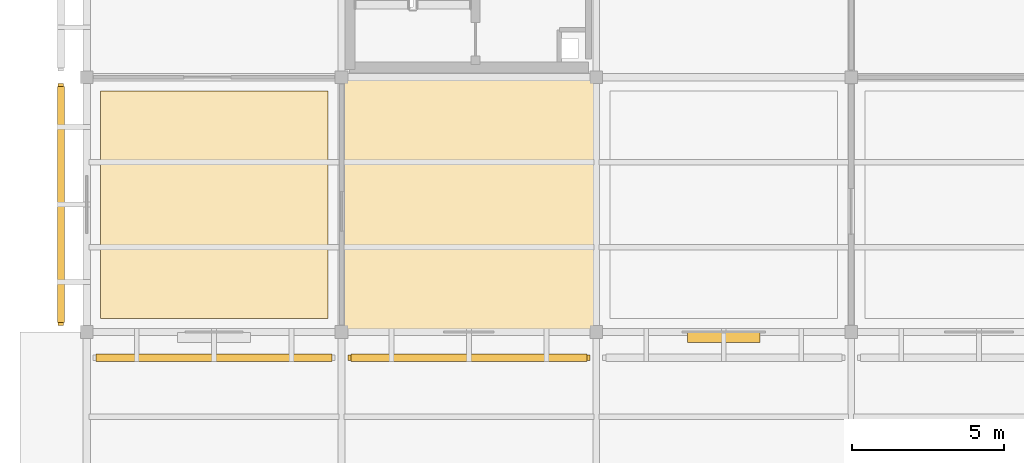
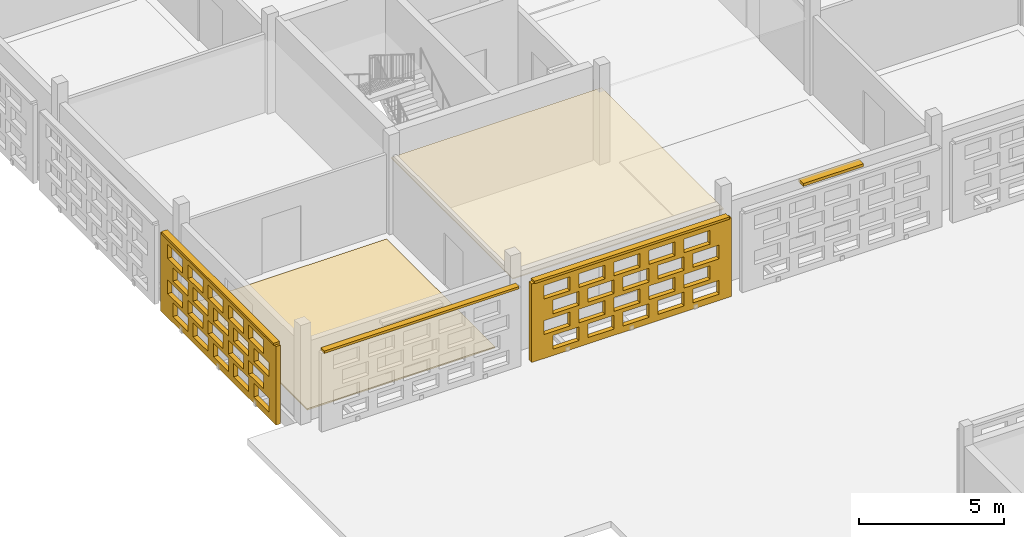
# One storey, part 85 of 103: 4 coverings, 4 shading devices, 40 openings.
"""IFC4 building model written with IfcOpenShell, lengths in metres."""

from ifc_helpers import new_model, si_unit, direction, frame, frame_2d, origin, origin_2d, place, context, subcontext, project, spatial, rectangle, extrude, material, layer, layer_set, type_object, element, save


model = new_model("IFC4")

# Units and contexts
model_context = context("Model", 3, precision=1e-05, world=origin(), true_north=direction((0.0, 1.0)))
body_context = subcontext(model_context, "Body", "Model", "MODEL_VIEW")
ifc_project = project(units=[si_unit("LENGTHUNIT", "METRE"), si_unit("AREAUNIT", "SQUARE_METRE"), si_unit("VOLUMEUNIT", "CUBIC_METRE"), si_unit("PLANEANGLEUNIT", "RADIAN"), si_unit("MASSUNIT", "GRAM", prefix="KILO")], contexts=[model_context])

# Site, building, storey
site_placement = place(None, origin())
site = spatial("IfcSite", under=ifc_project, at=site_placement, CompositionType="ELEMENT")
building_placement = place(site_placement, origin())
building = spatial("IfcBuilding", under=site, at=building_placement, Name="Varnapada Polytechnic", CompositionType="ELEMENT")
storey_placement = place(building_placement, frame((0.0, 0.0, 18.0)))
storey = spatial("IfcBuildingStorey", under=building, at=storey_placement, Name="L04", CompositionType="ELEMENT", Elevation=18.0)

# Covering
ifc_material_1 = material(Name="Anti-Static Raised Laboratory Flooring")
ifc_layer_1 = layer(ifc_material_1, 0.06005859375)
ifc_layer_set_1 = layer_set([ifc_layer_1], Name="Anti-Static Raised Laboratory Flooring")
covering_type_1 = type_object("IfcCoveringType", Name="Floor Finish FLR-02", PredefinedType="FLOORING", material=ifc_layer_set_1)
covering_1_placement = place(storey_placement, frame((4.199951171875, 54.60009765625, 0.0), z_axis=(0.0, 0.0, 1.0), x_axis=(1.0, 0.0, 0.0)))
element("IfcCovering", 1, at=covering_1_placement, inside=storey, type_object=covering_type_1, Name="L04 floor finish panel (1,7)", PredefinedType="FLOORING", context=body_context, shape_type="SweptSolid", body=[
    extrude(rectangle(XDim=7.5, YDim=7.5, at=origin_2d()), origin(), (0.0, 0.0, 1.0), 0.06005859375),
])

# Shading device
ifc_material_2 = material(Name="Anodised aluminium", Category="aluminium")
ifc_layer_2 = layer(ifc_material_2, 0.35009765625)
ifc_layer_set_2 = layer_set([ifc_layer_2], Name="Anodised aluminium")
shading_device_type_1 = type_object("IfcShadingDeviceType", Name="Solar Louvre LVR-01", PredefinedType="JALOUSIE", material=ifc_layer_set_2)
shading_device_placement = place(storey_placement, frame((21.0, 50.219970703125, 3.159912109375), z_axis=(0.0, 0.0, 1.0), x_axis=(-1.0, 0.0, 0.0)))
element("IfcShadingDevice", 2, at=shading_device_placement, inside=storey, type_object=shading_device_type_1, Name="L04 aluminium sun louvre 19", PredefinedType="JALOUSIE", context=body_context, shape_type="SweptSolid", body=[
    extrude(rectangle(XDim=2.39990234375, YDim=0.340087890625, at=origin_2d()), origin(), (0.0, 0.0, 1.0), 0.1201171875),
])

# Covering
ifc_material_3 = material(Name="Micro-Perforated Gypsum Acoustic Ceiling")
ifc_layer_3 = layer(ifc_material_3, 0.044921875)
ifc_layer_set_3 = layer_set([ifc_layer_3], Name="Micro-Perforated Gypsum Acoustic Ceiling")
covering_type_2 = type_object("IfcCoveringType", Name="Suspended Ceiling CLG-04", PredefinedType="CEILING", material=ifc_layer_set_3)
covering_2_placement = place(storey_placement, frame((12.60009765625, 54.60009765625, 3.027587890625), z_axis=(0.0, 0.0, 1.0), x_axis=(1.0, 0.0, 0.0)))
element("IfcCovering", 3, at=covering_2_placement, inside=storey, type_object=covering_type_2, Name="L04 suspended acoustic ceiling (2,7)", PredefinedType="CEILING", context=body_context, shape_type="SweptSolid", body=[
    extrude(rectangle(XDim=8.419921875, YDim=8.419921875, at=origin_2d()), origin(), (0.0, 0.0, 1.0), 0.044921875),
])

# Covering, openings
ifc_material_4 = material(Name="Earth-toned architectural terracotta screen block", Category="masonry")
ifc_layer_4 = layer(ifc_material_4, 0.1201171875)
ifc_layer_set_4 = layer_set([ifc_layer_4], Name="Earth-toned architectural terracotta screen block")
covering_type_3 = type_object("IfcCoveringType", Name="Terracotta Screen Cladding CLD-01", PredefinedType="CLADDING", material=ifc_layer_set_4)
covering_3_placement = place(storey_placement, frame((-0.85009765625, 50.610107421875, 0.0), z_axis=(0.0, 0.0, 1.0), x_axis=(0.0, 1.0, 0.0)))
covering_3 = element("IfcCovering", 4, at=covering_3_placement, inside=storey, type_object=covering_type_3, Name="L04 perforated terracotta block screen (2)", PredefinedType="CLADDING", context=body_context, shape_type="SweptSolid", body=[
    extrude(rectangle(XDim=7.97998046875, YDim=0.179931640625, at=frame_2d((3.989990234375, 0.0))), origin(), (0.0, 0.0, 1.0), 3.320068359375),
])
opening_1_placement = place(covering_3_placement, frame((0.489990234375, 0.0, 0.265625)))
element("IfcOpeningElement", 5, at=opening_1_placement, cuts=covering_3, Name="Screen perforation TBS-L04-001.1", PredefinedType="OPENING", context=body_context, shape_type="SweptSolid", body=[
    extrude(rectangle(XDim=1.0400390625, YDim=0.5810546875, at=frame_2d((0.52001953125, 0.29052734375))), frame((0.0, 0.099853515625, 0.0), z_axis=(0.0, -1.0, 0.0), x_axis=(1.0, 0.0, 0.0)), (0.0, 0.0, 1.0), 0.199951171875),
])
opening_2_placement = place(covering_3_placement, frame((1.889892578125, 0.0, 0.265625)))
element("IfcOpeningElement", 6, at=opening_2_placement, cuts=covering_3, Name="Screen perforation TBS-L04-001.2", PredefinedType="OPENING", context=body_context, shape_type="SweptSolid", body=[
    extrude(rectangle(XDim=1.0400390625, YDim=0.5810546875, at=frame_2d((0.52001953125, 0.29052734375))), frame((0.0, 0.099853515625, 0.0), z_axis=(0.0, -1.0, 0.0), x_axis=(1.0, 0.0, 0.0)), (0.0, 0.0, 1.0), 0.199951171875),
])
opening_3_placement = place(covering_3_placement, frame((3.2900390625, 0.0, 0.265625)))
element("IfcOpeningElement", 7, at=opening_3_placement, cuts=covering_3, Name="Screen perforation TBS-L04-001.3", PredefinedType="OPENING", context=body_context, shape_type="SweptSolid", body=[
    extrude(rectangle(XDim=1.0400390625, YDim=0.5810546875, at=frame_2d((0.52001953125, 0.29052734375))), frame((0.0, 0.099853515625, 0.0), z_axis=(0.0, -1.0, 0.0), x_axis=(1.0, 0.0, 0.0)), (0.0, 0.0, 1.0), 0.199951171875),
])
opening_4_placement = place(covering_3_placement, frame((4.68994140625, 0.0, 0.265625)))
element("IfcOpeningElement", 8, at=opening_4_placement, cuts=covering_3, Name="Screen perforation TBS-L04-001.4", PredefinedType="OPENING", context=body_context, shape_type="SweptSolid", body=[
    extrude(rectangle(XDim=1.0400390625, YDim=0.5810546875, at=frame_2d((0.52001953125, 0.29052734375))), frame((0.0, 0.099853515625, 0.0), z_axis=(0.0, -1.0, 0.0), x_axis=(1.0, 0.0, 0.0)), (0.0, 0.0, 1.0), 0.199951171875),
])
opening_5_placement = place(covering_3_placement, frame((6.090087890625, 0.0, 0.265625)))
element("IfcOpeningElement", 9, at=opening_5_placement, cuts=covering_3, Name="Screen perforation TBS-L04-001.5", PredefinedType="OPENING", context=body_context, shape_type="SweptSolid", body=[
    extrude(rectangle(XDim=1.0400390625, YDim=0.5810546875, at=frame_2d((0.52001953125, 0.29052734375))), frame((0.0, 0.099853515625, 0.0), z_axis=(0.0, -1.0, 0.0), x_axis=(1.0, 0.0, 0.0)), (0.0, 0.0, 1.0), 0.199951171875),
])
opening_6_placement = place(covering_3_placement, frame((0.85009765625, 0.0, 1.0126953125)))
element("IfcOpeningElement", 10, at=opening_6_placement, cuts=covering_3, Name="Screen perforation TBS-L04-001.6", PredefinedType="OPENING", context=body_context, shape_type="SweptSolid", body=[
    extrude(rectangle(XDim=1.0400390625, YDim=0.5810546875, at=frame_2d((0.52001953125, 0.29052734375))), frame((0.0, 0.099853515625, 0.0), z_axis=(0.0, -1.0, 0.0), x_axis=(1.0, 0.0, 0.0)), (0.0, 0.0, 1.0), 0.199951171875),
])
opening_7_placement = place(covering_3_placement, frame((2.25, 0.0, 1.0126953125)))
element("IfcOpeningElement", 11, at=opening_7_placement, cuts=covering_3, Name="Screen perforation TBS-L04-001.7", PredefinedType="OPENING", context=body_context, shape_type="SweptSolid", body=[
    extrude(rectangle(XDim=1.0400390625, YDim=0.5810546875, at=frame_2d((0.52001953125, 0.29052734375))), frame((0.0, 0.099853515625, 0.0), z_axis=(0.0, -1.0, 0.0), x_axis=(1.0, 0.0, 0.0)), (0.0, 0.0, 1.0), 0.199951171875),
])
opening_8_placement = place(covering_3_placement, frame((3.64990234375, 0.0, 1.0126953125)))
element("IfcOpeningElement", 12, at=opening_8_placement, cuts=covering_3, Name="Screen perforation TBS-L04-001.8", PredefinedType="OPENING", context=body_context, shape_type="SweptSolid", body=[
    extrude(rectangle(XDim=1.0400390625, YDim=0.5810546875, at=frame_2d((0.52001953125, 0.29052734375))), frame((0.0, 0.099853515625, 0.0), z_axis=(0.0, -1.0, 0.0), x_axis=(1.0, 0.0, 0.0)), (0.0, 0.0, 1.0), 0.199951171875),
])
opening_9_placement = place(covering_3_placement, frame((5.050048828125, 0.0, 1.0126953125)))
element("IfcOpeningElement", 13, at=opening_9_placement, cuts=covering_3, Name="Screen perforation TBS-L04-001.9", PredefinedType="OPENING", context=body_context, shape_type="SweptSolid", body=[
    extrude(rectangle(XDim=1.0400390625, YDim=0.5810546875, at=frame_2d((0.52001953125, 0.29052734375))), frame((0.0, 0.099853515625, 0.0), z_axis=(0.0, -1.0, 0.0), x_axis=(1.0, 0.0, 0.0)), (0.0, 0.0, 1.0), 0.199951171875),
])
opening_10_placement = place(covering_3_placement, frame((6.449951171875, 0.0, 1.0126953125)))
element("IfcOpeningElement", 14, at=opening_10_placement, cuts=covering_3, Name="Screen perforation TBS-L04-001.10", PredefinedType="OPENING", context=body_context, shape_type="SweptSolid", body=[
    extrude(rectangle(XDim=1.0400390625, YDim=0.5810546875, at=frame_2d((0.52001953125, 0.29052734375))), frame((0.0, 0.099853515625, 0.0), z_axis=(0.0, -1.0, 0.0), x_axis=(1.0, 0.0, 0.0)), (0.0, 0.0, 1.0), 0.199951171875),
])
opening_11_placement = place(covering_3_placement, frame((0.489990234375, 0.0, 1.759521484375)))
element("IfcOpeningElement", 15, at=opening_11_placement, cuts=covering_3, Name="Screen perforation TBS-L04-001.11", PredefinedType="OPENING", context=body_context, shape_type="SweptSolid", body=[
    extrude(rectangle(XDim=1.0400390625, YDim=0.5810546875, at=frame_2d((0.52001953125, 0.29052734375))), frame((0.0, 0.099853515625, 0.0), z_axis=(0.0, -1.0, 0.0), x_axis=(1.0, 0.0, 0.0)), (0.0, 0.0, 1.0), 0.199951171875),
])
opening_12_placement = place(covering_3_placement, frame((1.889892578125, 0.0, 1.759521484375)))
element("IfcOpeningElement", 16, at=opening_12_placement, cuts=covering_3, Name="Screen perforation TBS-L04-001.12", PredefinedType="OPENING", context=body_context, shape_type="SweptSolid", body=[
    extrude(rectangle(XDim=1.0400390625, YDim=0.5810546875, at=frame_2d((0.52001953125, 0.29052734375))), frame((0.0, 0.099853515625, 0.0), z_axis=(0.0, -1.0, 0.0), x_axis=(1.0, 0.0, 0.0)), (0.0, 0.0, 1.0), 0.199951171875),
])
opening_13_placement = place(covering_3_placement, frame((3.2900390625, 0.0, 1.759521484375)))
element("IfcOpeningElement", 17, at=opening_13_placement, cuts=covering_3, Name="Screen perforation TBS-L04-001.13", PredefinedType="OPENING", context=body_context, shape_type="SweptSolid", body=[
    extrude(rectangle(XDim=1.0400390625, YDim=0.5810546875, at=frame_2d((0.52001953125, 0.29052734375))), frame((0.0, 0.099853515625, 0.0), z_axis=(0.0, -1.0, 0.0), x_axis=(1.0, 0.0, 0.0)), (0.0, 0.0, 1.0), 0.199951171875),
])
opening_14_placement = place(covering_3_placement, frame((4.68994140625, 0.0, 1.759521484375)))
element("IfcOpeningElement", 18, at=opening_14_placement, cuts=covering_3, Name="Screen perforation TBS-L04-001.14", PredefinedType="OPENING", context=body_context, shape_type="SweptSolid", body=[
    extrude(rectangle(XDim=1.0400390625, YDim=0.5810546875, at=frame_2d((0.52001953125, 0.29052734375))), frame((0.0, 0.099853515625, 0.0), z_axis=(0.0, -1.0, 0.0), x_axis=(1.0, 0.0, 0.0)), (0.0, 0.0, 1.0), 0.199951171875),
])
opening_15_placement = place(covering_3_placement, frame((6.090087890625, 0.0, 1.759521484375)))
element("IfcOpeningElement", 19, at=opening_15_placement, cuts=covering_3, Name="Screen perforation TBS-L04-001.15", PredefinedType="OPENING", context=body_context, shape_type="SweptSolid", body=[
    extrude(rectangle(XDim=1.0400390625, YDim=0.5810546875, at=frame_2d((0.52001953125, 0.29052734375))), frame((0.0, 0.099853515625, 0.0), z_axis=(0.0, -1.0, 0.0), x_axis=(1.0, 0.0, 0.0)), (0.0, 0.0, 1.0), 0.199951171875),
])
opening_16_placement = place(covering_3_placement, frame((0.85009765625, 0.0, 2.506591796875)))
element("IfcOpeningElement", 20, at=opening_16_placement, cuts=covering_3, Name="Screen perforation TBS-L04-001.16", PredefinedType="OPENING", context=body_context, shape_type="SweptSolid", body=[
    extrude(rectangle(XDim=1.0400390625, YDim=0.5810546875, at=frame_2d((0.52001953125, 0.29052734375))), frame((0.0, 0.099853515625, 0.0), z_axis=(0.0, -1.0, 0.0), x_axis=(1.0, 0.0, 0.0)), (0.0, 0.0, 1.0), 0.199951171875),
])
opening_17_placement = place(covering_3_placement, frame((2.25, 0.0, 2.506591796875)))
element("IfcOpeningElement", 21, at=opening_17_placement, cuts=covering_3, Name="Screen perforation TBS-L04-001.17", PredefinedType="OPENING", context=body_context, shape_type="SweptSolid", body=[
    extrude(rectangle(XDim=1.0400390625, YDim=0.5810546875, at=frame_2d((0.52001953125, 0.29052734375))), frame((0.0, 0.099853515625, 0.0), z_axis=(0.0, -1.0, 0.0), x_axis=(1.0, 0.0, 0.0)), (0.0, 0.0, 1.0), 0.199951171875),
])
opening_18_placement = place(covering_3_placement, frame((3.64990234375, 0.0, 2.506591796875)))
element("IfcOpeningElement", 22, at=opening_18_placement, cuts=covering_3, Name="Screen perforation TBS-L04-001.18", PredefinedType="OPENING", context=body_context, shape_type="SweptSolid", body=[
    extrude(rectangle(XDim=1.0400390625, YDim=0.5810546875, at=frame_2d((0.52001953125, 0.29052734375))), frame((0.0, 0.099853515625, 0.0), z_axis=(0.0, -1.0, 0.0), x_axis=(1.0, 0.0, 0.0)), (0.0, 0.0, 1.0), 0.199951171875),
])
opening_19_placement = place(covering_3_placement, frame((5.050048828125, 0.0, 2.506591796875)))
element("IfcOpeningElement", 23, at=opening_19_placement, cuts=covering_3, Name="Screen perforation TBS-L04-001.19", PredefinedType="OPENING", context=body_context, shape_type="SweptSolid", body=[
    extrude(rectangle(XDim=1.0400390625, YDim=0.5810546875, at=frame_2d((0.52001953125, 0.29052734375))), frame((0.0, 0.099853515625, 0.0), z_axis=(0.0, -1.0, 0.0), x_axis=(1.0, 0.0, 0.0)), (0.0, 0.0, 1.0), 0.199951171875),
])
opening_20_placement = place(covering_3_placement, frame((6.449951171875, 0.0, 2.506591796875)))
element("IfcOpeningElement", 24, at=opening_20_placement, cuts=covering_3, Name="Screen perforation TBS-L04-001.20", PredefinedType="OPENING", context=body_context, shape_type="SweptSolid", body=[
    extrude(rectangle(XDim=1.0400390625, YDim=0.5810546875, at=frame_2d((0.52001953125, 0.29052734375))), frame((0.0, 0.099853515625, 0.0), z_axis=(0.0, -1.0, 0.0), x_axis=(1.0, 0.0, 0.0)), (0.0, 0.0, 1.0), 0.199951171875),
])

covering_4_placement = place(storey_placement, frame((16.590087890625, 49.550048828125, 0.0), z_axis=(0.0, 0.0, 1.0), x_axis=(-1.0, 0.0, 0.0)))
covering_4 = element("IfcCovering", 25, at=covering_4_placement, inside=storey, type_object=covering_type_3, Name="L04 perforated terracotta block screen (12)", PredefinedType="CLADDING", context=body_context, shape_type="SweptSolid", body=[
    extrude(rectangle(XDim=7.97998046875, YDim=0.179931640625, at=frame_2d((3.989990234375, 0.0))), origin(), (0.0, 0.0, 1.0), 3.320068359375),
])
opening_21_placement = place(covering_4_placement, frame((0.489990234375, 0.0, 0.265625)))
element("IfcOpeningElement", 26, at=opening_21_placement, cuts=covering_4, Name="Screen perforation TBS-L04-011.1", PredefinedType="OPENING", context=body_context, shape_type="SweptSolid", body=[
    extrude(rectangle(XDim=1.0400390625, YDim=0.5810546875, at=frame_2d((0.52001953125, 0.29052734375))), frame((0.0, 0.099853515625, 0.0), z_axis=(0.0, -1.0, 0.0), x_axis=(1.0, 0.0, 0.0)), (0.0, 0.0, 1.0), 0.199951171875),
])
opening_22_placement = place(covering_4_placement, frame((1.889892578125, 0.0, 0.265625)))
element("IfcOpeningElement", 27, at=opening_22_placement, cuts=covering_4, Name="Screen perforation TBS-L04-011.2", PredefinedType="OPENING", context=body_context, shape_type="SweptSolid", body=[
    extrude(rectangle(XDim=1.0400390625, YDim=0.5810546875, at=frame_2d((0.52001953125, 0.29052734375))), frame((0.0, 0.099853515625, 0.0), z_axis=(0.0, -1.0, 0.0), x_axis=(1.0, 0.0, 0.0)), (0.0, 0.0, 1.0), 0.199951171875),
])
opening_23_placement = place(covering_4_placement, frame((3.2900390625, 0.0, 0.265625)))
element("IfcOpeningElement", 28, at=opening_23_placement, cuts=covering_4, Name="Screen perforation TBS-L04-011.3", PredefinedType="OPENING", context=body_context, shape_type="SweptSolid", body=[
    extrude(rectangle(XDim=1.0400390625, YDim=0.5810546875, at=frame_2d((0.52001953125, 0.29052734375))), frame((0.0, 0.099853515625, 0.0), z_axis=(0.0, -1.0, 0.0), x_axis=(1.0, 0.0, 0.0)), (0.0, 0.0, 1.0), 0.199951171875),
])
opening_24_placement = place(covering_4_placement, frame((4.68994140625, 0.0, 0.265625)))
element("IfcOpeningElement", 29, at=opening_24_placement, cuts=covering_4, Name="Screen perforation TBS-L04-011.4", PredefinedType="OPENING", context=body_context, shape_type="SweptSolid", body=[
    extrude(rectangle(XDim=1.0400390625, YDim=0.5810546875, at=frame_2d((0.52001953125, 0.29052734375))), frame((0.0, 0.099853515625, 0.0), z_axis=(0.0, -1.0, 0.0), x_axis=(1.0, 0.0, 0.0)), (0.0, 0.0, 1.0), 0.199951171875),
])
opening_25_placement = place(covering_4_placement, frame((6.090087890625, 0.0, 0.265625)))
element("IfcOpeningElement", 30, at=opening_25_placement, cuts=covering_4, Name="Screen perforation TBS-L04-011.5", PredefinedType="OPENING", context=body_context, shape_type="SweptSolid", body=[
    extrude(rectangle(XDim=1.0400390625, YDim=0.5810546875, at=frame_2d((0.52001953125, 0.29052734375))), frame((0.0, 0.099853515625, 0.0), z_axis=(0.0, -1.0, 0.0), x_axis=(1.0, 0.0, 0.0)), (0.0, 0.0, 1.0), 0.199951171875),
])
opening_26_placement = place(covering_4_placement, frame((0.85009765625, 0.0, 1.0126953125)))
element("IfcOpeningElement", 31, at=opening_26_placement, cuts=covering_4, Name="Screen perforation TBS-L04-011.6", PredefinedType="OPENING", context=body_context, shape_type="SweptSolid", body=[
    extrude(rectangle(XDim=1.0400390625, YDim=0.5810546875, at=frame_2d((0.52001953125, 0.29052734375))), frame((0.0, 0.099853515625, 0.0), z_axis=(0.0, -1.0, 0.0), x_axis=(1.0, 0.0, 0.0)), (0.0, 0.0, 1.0), 0.199951171875),
])
opening_27_placement = place(covering_4_placement, frame((2.25, 0.0, 1.0126953125)))
element("IfcOpeningElement", 32, at=opening_27_placement, cuts=covering_4, Name="Screen perforation TBS-L04-011.7", PredefinedType="OPENING", context=body_context, shape_type="SweptSolid", body=[
    extrude(rectangle(XDim=1.0400390625, YDim=0.5810546875, at=frame_2d((0.52001953125, 0.29052734375))), frame((0.0, 0.099853515625, 0.0), z_axis=(0.0, -1.0, 0.0), x_axis=(1.0, 0.0, 0.0)), (0.0, 0.0, 1.0), 0.199951171875),
])
opening_28_placement = place(covering_4_placement, frame((3.64990234375, 0.0, 1.0126953125)))
element("IfcOpeningElement", 33, at=opening_28_placement, cuts=covering_4, Name="Screen perforation TBS-L04-011.8", PredefinedType="OPENING", context=body_context, shape_type="SweptSolid", body=[
    extrude(rectangle(XDim=1.0400390625, YDim=0.5810546875, at=frame_2d((0.52001953125, 0.29052734375))), frame((0.0, 0.099853515625, 0.0), z_axis=(0.0, -1.0, 0.0), x_axis=(1.0, 0.0, 0.0)), (0.0, 0.0, 1.0), 0.199951171875),
])
opening_29_placement = place(covering_4_placement, frame((5.050048828125, 0.0, 1.0126953125)))
element("IfcOpeningElement", 34, at=opening_29_placement, cuts=covering_4, Name="Screen perforation TBS-L04-011.9", PredefinedType="OPENING", context=body_context, shape_type="SweptSolid", body=[
    extrude(rectangle(XDim=1.0400390625, YDim=0.5810546875, at=frame_2d((0.52001953125, 0.29052734375))), frame((0.0, 0.099853515625, 0.0), z_axis=(0.0, -1.0, 0.0), x_axis=(1.0, 0.0, 0.0)), (0.0, 0.0, 1.0), 0.199951171875),
])
opening_30_placement = place(covering_4_placement, frame((6.449951171875, 0.0, 1.0126953125)))
element("IfcOpeningElement", 35, at=opening_30_placement, cuts=covering_4, Name="Screen perforation TBS-L04-011.10", PredefinedType="OPENING", context=body_context, shape_type="SweptSolid", body=[
    extrude(rectangle(XDim=1.0400390625, YDim=0.5810546875, at=frame_2d((0.52001953125, 0.29052734375))), frame((0.0, 0.099853515625, 0.0), z_axis=(0.0, -1.0, 0.0), x_axis=(1.0, 0.0, 0.0)), (0.0, 0.0, 1.0), 0.199951171875),
])
opening_31_placement = place(covering_4_placement, frame((0.489990234375, 0.0, 1.759521484375)))
element("IfcOpeningElement", 36, at=opening_31_placement, cuts=covering_4, Name="Screen perforation TBS-L04-011.11", PredefinedType="OPENING", context=body_context, shape_type="SweptSolid", body=[
    extrude(rectangle(XDim=1.0400390625, YDim=0.5810546875, at=frame_2d((0.52001953125, 0.29052734375))), frame((0.0, 0.099853515625, 0.0), z_axis=(0.0, -1.0, 0.0), x_axis=(1.0, 0.0, 0.0)), (0.0, 0.0, 1.0), 0.199951171875),
])
opening_32_placement = place(covering_4_placement, frame((1.889892578125, 0.0, 1.759521484375)))
element("IfcOpeningElement", 37, at=opening_32_placement, cuts=covering_4, Name="Screen perforation TBS-L04-011.12", PredefinedType="OPENING", context=body_context, shape_type="SweptSolid", body=[
    extrude(rectangle(XDim=1.0400390625, YDim=0.5810546875, at=frame_2d((0.52001953125, 0.29052734375))), frame((0.0, 0.099853515625, 0.0), z_axis=(0.0, -1.0, 0.0), x_axis=(1.0, 0.0, 0.0)), (0.0, 0.0, 1.0), 0.199951171875),
])
opening_33_placement = place(covering_4_placement, frame((3.2900390625, 0.0, 1.759521484375)))
element("IfcOpeningElement", 38, at=opening_33_placement, cuts=covering_4, Name="Screen perforation TBS-L04-011.13", PredefinedType="OPENING", context=body_context, shape_type="SweptSolid", body=[
    extrude(rectangle(XDim=1.0400390625, YDim=0.5810546875, at=frame_2d((0.52001953125, 0.29052734375))), frame((0.0, 0.099853515625, 0.0), z_axis=(0.0, -1.0, 0.0), x_axis=(1.0, 0.0, 0.0)), (0.0, 0.0, 1.0), 0.199951171875),
])
opening_34_placement = place(covering_4_placement, frame((4.68994140625, 0.0, 1.759521484375)))
element("IfcOpeningElement", 39, at=opening_34_placement, cuts=covering_4, Name="Screen perforation TBS-L04-011.14", PredefinedType="OPENING", context=body_context, shape_type="SweptSolid", body=[
    extrude(rectangle(XDim=1.0400390625, YDim=0.5810546875, at=frame_2d((0.52001953125, 0.29052734375))), frame((0.0, 0.099853515625, 0.0), z_axis=(0.0, -1.0, 0.0), x_axis=(1.0, 0.0, 0.0)), (0.0, 0.0, 1.0), 0.199951171875),
])
opening_35_placement = place(covering_4_placement, frame((6.090087890625, 0.0, 1.759521484375)))
element("IfcOpeningElement", 40, at=opening_35_placement, cuts=covering_4, Name="Screen perforation TBS-L04-011.15", PredefinedType="OPENING", context=body_context, shape_type="SweptSolid", body=[
    extrude(rectangle(XDim=1.0400390625, YDim=0.5810546875, at=frame_2d((0.52001953125, 0.29052734375))), frame((0.0, 0.099853515625, 0.0), z_axis=(0.0, -1.0, 0.0), x_axis=(1.0, 0.0, 0.0)), (0.0, 0.0, 1.0), 0.199951171875),
])
opening_36_placement = place(covering_4_placement, frame((0.85009765625, 0.0, 2.506591796875)))
element("IfcOpeningElement", 41, at=opening_36_placement, cuts=covering_4, Name="Screen perforation TBS-L04-011.16", PredefinedType="OPENING", context=body_context, shape_type="SweptSolid", body=[
    extrude(rectangle(XDim=1.0400390625, YDim=0.5810546875, at=frame_2d((0.52001953125, 0.29052734375))), frame((0.0, 0.099853515625, 0.0), z_axis=(0.0, -1.0, 0.0), x_axis=(1.0, 0.0, 0.0)), (0.0, 0.0, 1.0), 0.199951171875),
])
opening_37_placement = place(covering_4_placement, frame((2.25, 0.0, 2.506591796875)))
element("IfcOpeningElement", 42, at=opening_37_placement, cuts=covering_4, Name="Screen perforation TBS-L04-011.17", PredefinedType="OPENING", context=body_context, shape_type="SweptSolid", body=[
    extrude(rectangle(XDim=1.0400390625, YDim=0.5810546875, at=frame_2d((0.52001953125, 0.29052734375))), frame((0.0, 0.099853515625, 0.0), z_axis=(0.0, -1.0, 0.0), x_axis=(1.0, 0.0, 0.0)), (0.0, 0.0, 1.0), 0.199951171875),
])
opening_38_placement = place(covering_4_placement, frame((3.64990234375, 0.0, 2.506591796875)))
element("IfcOpeningElement", 43, at=opening_38_placement, cuts=covering_4, Name="Screen perforation TBS-L04-011.18", PredefinedType="OPENING", context=body_context, shape_type="SweptSolid", body=[
    extrude(rectangle(XDim=1.0400390625, YDim=0.5810546875, at=frame_2d((0.52001953125, 0.29052734375))), frame((0.0, 0.099853515625, 0.0), z_axis=(0.0, -1.0, 0.0), x_axis=(1.0, 0.0, 0.0)), (0.0, 0.0, 1.0), 0.199951171875),
])
opening_39_placement = place(covering_4_placement, frame((5.050048828125, 0.0, 2.506591796875)))
element("IfcOpeningElement", 44, at=opening_39_placement, cuts=covering_4, Name="Screen perforation TBS-L04-011.19", PredefinedType="OPENING", context=body_context, shape_type="SweptSolid", body=[
    extrude(rectangle(XDim=1.0400390625, YDim=0.5810546875, at=frame_2d((0.52001953125, 0.29052734375))), frame((0.0, 0.099853515625, 0.0), z_axis=(0.0, -1.0, 0.0), x_axis=(1.0, 0.0, 0.0)), (0.0, 0.0, 1.0), 0.199951171875),
])
opening_40_placement = place(covering_4_placement, frame((6.449951171875, 0.0, 2.506591796875)))
element("IfcOpeningElement", 45, at=opening_40_placement, cuts=covering_4, Name="Screen perforation TBS-L04-011.20", PredefinedType="OPENING", context=body_context, shape_type="SweptSolid", body=[
    extrude(rectangle(XDim=1.0400390625, YDim=0.5810546875, at=frame_2d((0.52001953125, 0.29052734375))), frame((0.0, 0.099853515625, 0.0), z_axis=(0.0, -1.0, 0.0), x_axis=(1.0, 0.0, 0.0)), (0.0, 0.0, 1.0), 0.199951171875),
])

# Shading devices
ifc_layer_5 = layer(ifc_material_4, 0.179931640625)
ifc_layer_set_5 = layer_set([ifc_layer_5], Name="Earth-toned architectural terracotta screen block")
shading_device_type_2 = type_object("IfcShadingDeviceType", Name="Terracotta Screen SCR-01", PredefinedType="USERDEFINED", material=ifc_layer_set_5)
for number, where, z_axis, x_axis, name in (
    (46, (4.199951171875, 49.550048828125, 3.31005859375), (0.0, 0.0, 1.0), (-1.0, 0.0, 0.0), "L04 perforated terracotta screen hood 423"),
    (47, (-0.85009765625, 54.60009765625, 3.31005859375), (0.0, 0.0, 1.0), (0.0, 1.0, 0.0), "L04 perforated terracotta screen hood 424"),
    (48, (12.60009765625, 49.550048828125, 3.31005859375), (0.0, 0.0, 1.0), (-1.0, 0.0, 0.0), "L04 perforated terracotta screen hood 434"),
):
    element("IfcShadingDevice", number, at=place(storey_placement, frame(where, z_axis=z_axis, x_axis=x_axis)), inside=storey, type_object=shading_device_type_2, Name=name, ObjectType="SCREEN", PredefinedType="USERDEFINED", context=body_context, shape_type="SweptSolid", body=[
        extrude(rectangle(XDim=7.780029296875, YDim=0.239990234375, at=origin_2d()), origin(), (0.0, 0.0, 1.0), 0.10009765625),
    ])

save(model, "model.ifc")
